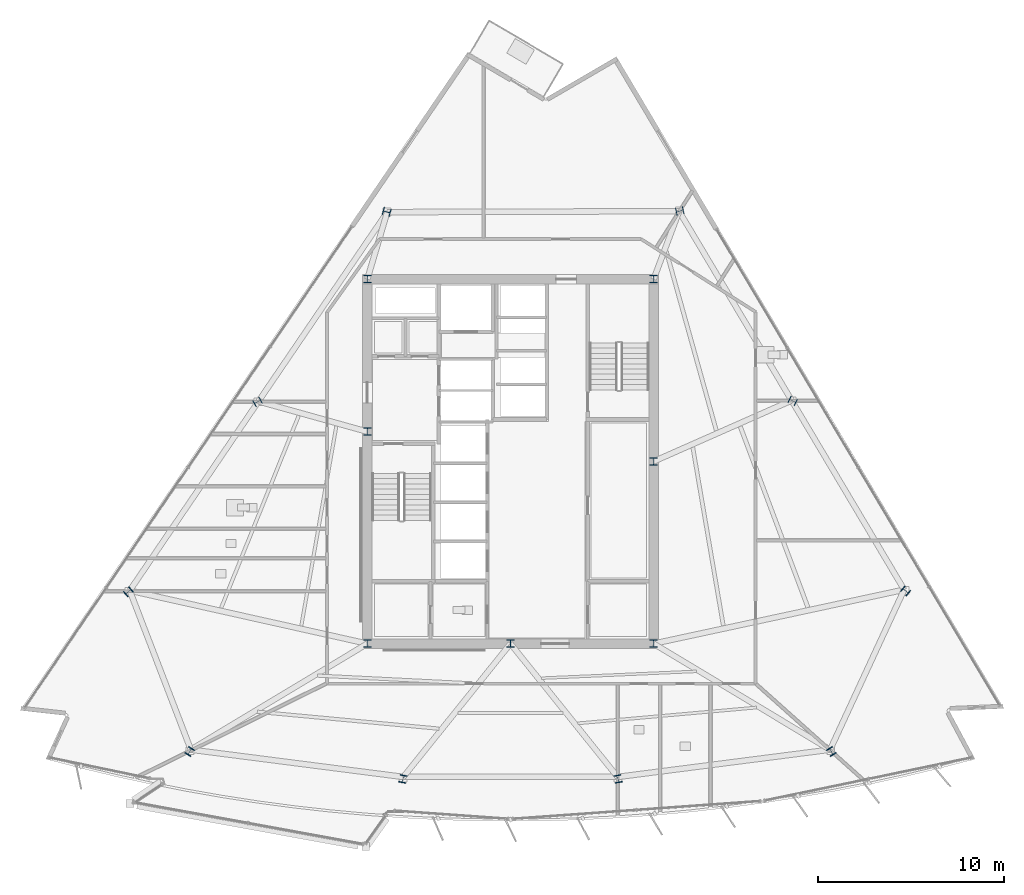
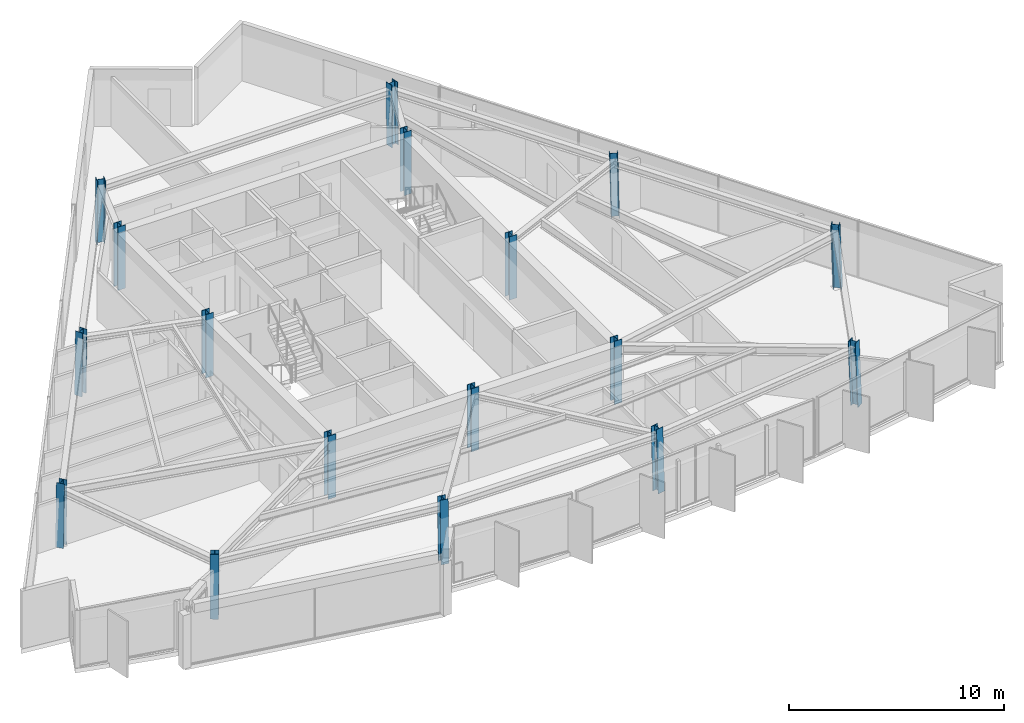
# One storey, part 1 of 14: 17 columns.
"""IFC4 building model written with IfcOpenShell, lengths in metres."""

from ifc_helpers import new_model, si_unit, direction, frame, origin, origin_2d, place, context, subcontext, project, spatial, i_section, extrude, material, material_profile, profile_set, type_object, element, save


model = new_model("IFC4")

# Units and contexts
model_context = context("Model", 3, precision=1e-05, world=origin(), true_north=direction((0.0, 1.0)))
body_context = subcontext(model_context, "Body", "Model", "MODEL_VIEW")
ifc_project = project(units=[si_unit("LENGTHUNIT", "METRE"), si_unit("AREAUNIT", "SQUARE_METRE"), si_unit("VOLUMEUNIT", "CUBIC_METRE"), si_unit("PLANEANGLEUNIT", "RADIAN"), si_unit("MASSUNIT", "GRAM", prefix="KILO")], contexts=[model_context])

# Site, building, storey
site_placement = place(None, origin())
site = spatial("IfcSite", under=ifc_project, at=site_placement, CompositionType="ELEMENT")
building_placement = place(site_placement, origin())
building = spatial("IfcBuilding", under=site, at=building_placement, Name="Savorim Split Tower", CompositionType="ELEMENT")
storey_placement = place(building_placement, frame((0.0, 0.0, 181.800048828125)))
storey = spatial("IfcBuildingStorey", under=building, at=storey_placement, Name="L48", CompositionType="ELEMENT", Elevation=181.800048828125)

# Columns
ifc_material = material(Name="Steel S460", Category="steel")
ifc_material_profile_1 = material_profile(ifc_material, i_section(OverallWidth=0.40087890625, OverallDepth=0.39892578125, WebThickness=0.015625, FlangeThickness=0.02490234375, FilletRadius=0.014892578125, at=origin_2d()), Name="HD 400x314")
ifc_profile_set_1 = profile_set([ifc_material_profile_1], Name="Steel S460")
column_type_1 = type_object("IfcColumnType", Name="COL-HD-314", PredefinedType="COLUMN", material=ifc_profile_set_1)
column_1_placement = place(storey_placement, frame((-17.264404296875, -15.221435546875, 0.00537109375), z_axis=(0.020662834962, 0.033509136961, 0.999224792022), x_axis=(-0.851183725565, 0.524867855115, 0.0)))
element("IfcColumn", 1, at=column_1_placement, inside=storey, type_object=column_type_1, Name="L48 Tapered Perimeter Column PC-S1", PredefinedType="COLUMN", context=body_context, shape_type="SweptSolid", body=[
    extrude(i_section(OverallWidth=0.40087890625, OverallDepth=0.39892578125, WebThickness=0.015625, FlangeThickness=0.02490234375, FilletRadius=0.014892578125, at=origin_2d()), origin(), (0.0, 0.0, 1.0), 3.591796875),
])
for number, where, z_axis, x_axis, name in (
    (2, (-5.7861328125, -16.695068359375, 0.00537109375), (0.006865841702, 0.035280909339, 0.999353850072), (-0.981585848295, 0.191021523464, 0.0), "L48 Tapered Perimeter Column PC-S2"),
    (3, (5.7861328125, -16.695068359375, 0.00537109375), (-0.006865841702, 0.035280909339, 0.999353850072), (-0.981585848295, -0.191021523464, 0.0), "L48 Tapered Perimeter Column PC-S3"),
):
    element("IfcColumn", number, at=place(storey_placement, frame(where, z_axis=z_axis, x_axis=x_axis)), inside=storey, type_object=column_type_1, Name=name, PredefinedType="COLUMN", context=body_context, shape_type="SweptSolid", body=[
        extrude(i_section(OverallWidth=0.40087890625, OverallDepth=0.39892578125, WebThickness=0.015625, FlangeThickness=0.02490234375, FilletRadius=0.014892578125, at=origin_2d()), origin(), (0.0, 0.0, 1.0), 3.591552734375),
    ])
column_2_placement = place(storey_placement, frame((17.264404296875, -15.221435546875, 0.00537109375), z_axis=(-0.020662834962, 0.033509136961, 0.999224792022), x_axis=(-0.851183725565, -0.524867855115, 0.0)))
element("IfcColumn", 4, at=column_2_placement, inside=storey, type_object=column_type_1, Name="L48 Tapered Perimeter Column PC-S4", PredefinedType="COLUMN", context=body_context, shape_type="SweptSolid", body=[
    extrude(i_section(OverallWidth=0.40087890625, OverallDepth=0.39892578125, WebThickness=0.015625, FlangeThickness=0.02490234375, FilletRadius=0.014892578125, at=origin_2d()), origin(), (0.0, 0.0, 1.0), 3.591796875),
])
column_3_placement = place(storey_placement, frame((21.2646484375, -6.574951171875, 0.00537109375), z_axis=(-0.026105663043, 0.021618752208, 0.999425396871), x_axis=(-0.637813971185, -0.770190455771, 0.0)))
element("IfcColumn", 5, at=column_3_placement, inside=storey, type_object=column_type_1, Name="L48 Tapered Perimeter Column PC-E1", PredefinedType="COLUMN", context=body_context, shape_type="SweptSolid", body=[
    extrude(i_section(OverallWidth=0.40087890625, OverallDepth=0.39892578125, WebThickness=0.015625, FlangeThickness=0.02490234375, FilletRadius=0.014892578125, at=origin_2d()), origin(), (0.0, 0.0, 1.0), 3.591064453125),
])
column_4_placement = place(storey_placement, frame((15.1875, 3.6455078125, 0.00537109375), z_axis=(-0.018906041, 0.009521027842, 0.999775930718), x_axis=(-0.449781931574, -0.893138406984, 0.0)))
element("IfcColumn", 6, at=column_4_placement, inside=storey, type_object=column_type_1, Name="L48 Tapered Perimeter Column PC-E2", PredefinedType="COLUMN", context=body_context, shape_type="SweptSolid", body=[
    extrude(i_section(OverallWidth=0.40087890625, OverallDepth=0.39892578125, WebThickness=0.015625, FlangeThickness=0.02490234375, FilletRadius=0.014892578125, at=origin_2d()), origin(), (0.0, 0.0, 1.0), 3.58984375),
])
for number, where, z_axis, x_axis, name in (
    (7, (9.110107421875, 13.86572265625, 0.00537109375), (-0.011699046613, -0.002516655376, 0.999928396814), (0.210305364179, -0.977635746993, 0.0), "L48 Tapered Perimeter Column PC-E3"),
    (8, (-6.660888671875, 13.81689453125, 0.00537109375), (0.008774547672, -0.002516730728, 0.999958335822), (0.275705143097, 0.961242255662, 0.0), "L48 Tapered Perimeter Column PC-W1"),
):
    element("IfcColumn", number, at=place(storey_placement, frame(where, z_axis=z_axis, x_axis=x_axis)), inside=storey, type_object=column_type_1, Name=name, PredefinedType="COLUMN", context=body_context, shape_type="SweptSolid", body=[
        extrude(i_section(OverallWidth=0.40087890625, OverallDepth=0.39892578125, WebThickness=0.015625, FlangeThickness=0.02490234375, FilletRadius=0.014892578125, at=origin_2d()), origin(), (0.0, 0.0, 1.0), 3.58935546875),
    ])
column_5_placement = place(storey_placement, frame((-13.613525390625, 3.5966796875, 0.00537109375), z_axis=(0.01700241672, 0.009521353363, 0.999810112799), x_axis=(-0.488603368932, 0.87250601595, 0.0)))
element("IfcColumn", 9, at=column_5_placement, inside=storey, type_object=column_type_1, Name="L48 Tapered Perimeter Column PC-W2", PredefinedType="COLUMN", context=body_context, shape_type="SweptSolid", body=[
    extrude(i_section(OverallWidth=0.40087890625, OverallDepth=0.39892578125, WebThickness=0.015625, FlangeThickness=0.02490234375, FilletRadius=0.014892578125, at=origin_2d()), origin(), (0.0, 0.0, 1.0), 3.58984375),
])
column_6_placement = place(storey_placement, frame((-20.566162109375, -6.623779296875, 0.00537109375), z_axis=(0.025222449659, 0.021619242565, 0.999448065876), x_axis=(-0.650791373456, 0.759256602365, 0.0)))
element("IfcColumn", 10, at=column_6_placement, inside=storey, type_object=column_type_1, Name="L48 Tapered Perimeter Column PC-W3", PredefinedType="COLUMN", context=body_context, shape_type="SweptSolid", body=[
    extrude(i_section(OverallWidth=0.40087890625, OverallDepth=0.39892578125, WebThickness=0.015625, FlangeThickness=0.02490234375, FilletRadius=0.014892578125, at=origin_2d()), origin(), (0.0, 0.0, 1.0), 3.591064453125),
])
ifc_material_profile_2 = material_profile(ifc_material, i_section(OverallWidth=0.404052734375, OverallDepth=0.406982421875, WebThickness=0.017333984375, FlangeThickness=0.028076171875, FilletRadius=0.014892578125, at=origin_2d()), Name="HD 400x347")
ifc_profile_set_2 = profile_set([ifc_material_profile_2], Name="Steel S460")
column_type_2 = type_object("IfcColumnType", Name="COL-HD-347", PredefinedType="COLUMN", material=ifc_profile_set_2)
for number, where, z_axis, x_axis, name in (
    (11, (-7.699951171875, -9.39990234375, 0.0), (0.0, 0.0, 1.0), (1.0, 0.0, 0.0), "L48 Core Structural Column TC-C1"),
    (12, (7.699951171875, -9.39990234375, 0.0), (0.0, 0.0, 1.0), (1.0, 0.0, 0.0), "L48 Core Structural Column TC-C2"),
    (13, (7.699951171875, 10.199951171875, 0.0), (0.0, 0.0, 1.0), (1.0, 0.0, 0.0), "L48 Core Structural Column TC-C3"),
    (14, (-7.699951171875, 10.199951171875, 0.0), (0.0, 0.0, 1.0), (1.0, 0.0, 0.0), "L48 Core Structural Column TC-C4"),
    (15, (0.0, -9.39990234375, 0.0), (0.0, 0.0, 1.0), (1.0, 0.0, 0.0), "L48 Core Structural Column TC-C5"),
    (16, (7.699951171875, 0.39990234375, 0.0), (0.0, 0.0, 1.0), (1.0, 0.0, 0.0), "L48 Core Structural Column TC-C6"),
    (17, (-7.699951171875, 2.0, 0.0), (0.0, 0.0, 1.0), (1.0, 0.0, 0.0), "L48 Core Structural Column TC-C7"),
):
    element("IfcColumn", number, at=place(storey_placement, frame(where, z_axis=z_axis, x_axis=x_axis)), inside=storey, type_object=column_type_2, Name=name, PredefinedType="COLUMN", context=body_context, shape_type="SweptSolid", body=[
        extrude(i_section(OverallWidth=0.404052734375, OverallDepth=0.406982421875, WebThickness=0.017333984375, FlangeThickness=0.028076171875, FilletRadius=0.014892578125, at=origin_2d()), origin(), (0.0, 0.0, 1.0), 3.599853515625),
    ])

save(model, "model.ifc")
